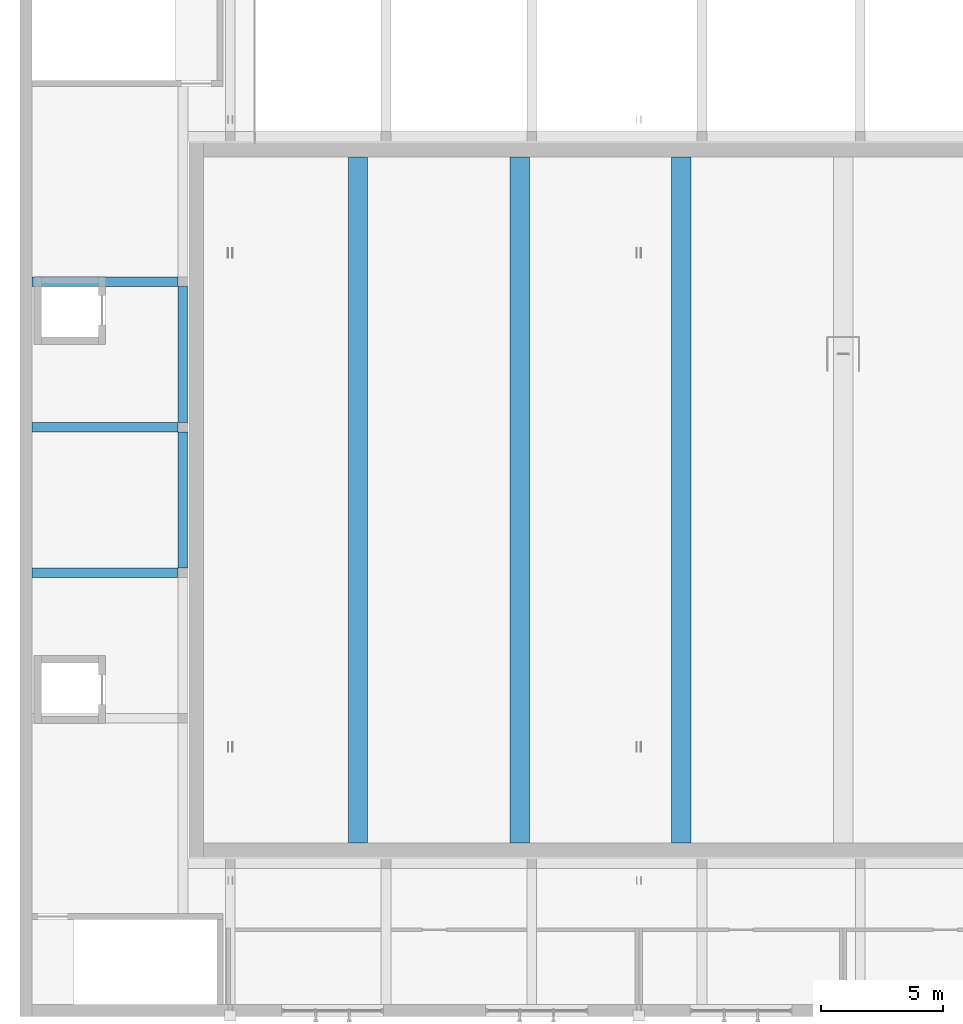
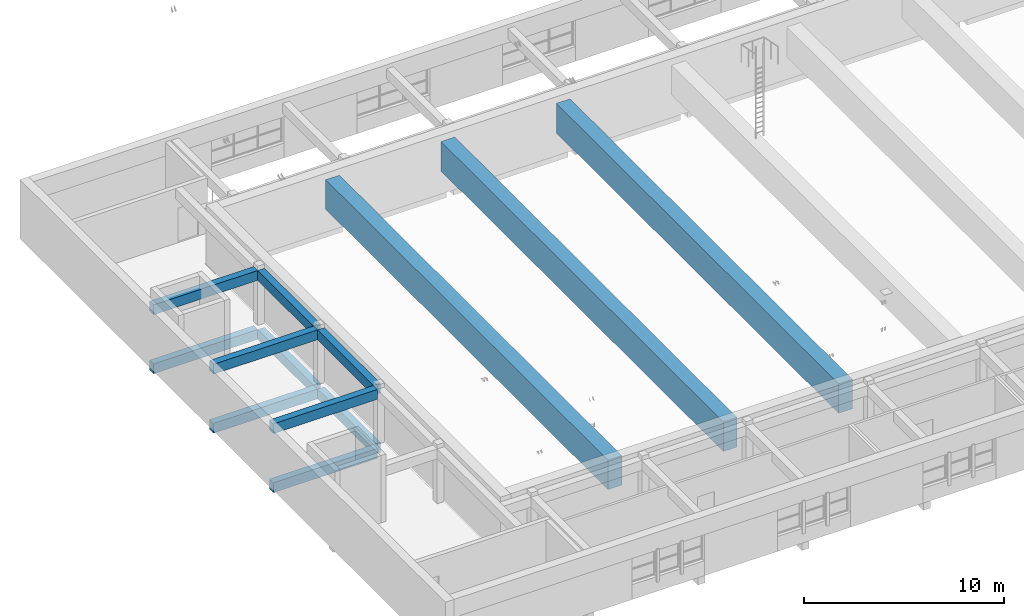
# One storey, part 4 of 28: 13 beams.
"""IFC4 building model written with IfcOpenShell, lengths in metres."""

from ifc_helpers import new_model, si_unit, direction, frame, origin, origin_2d, place, context, subcontext, project, spatial, rectangle, extrude, material, material_profile, profile_set, type_object, element, save


model = new_model("IFC4")

# Units and contexts
model_context = context("Model", 3, precision=1e-05, world=origin(), true_north=direction((0.0, 1.0)))
body_context = subcontext(model_context, "Body", "Model", "MODEL_VIEW")
ifc_project = project(units=[si_unit("LENGTHUNIT", "METRE"), si_unit("AREAUNIT", "SQUARE_METRE"), si_unit("VOLUMEUNIT", "CUBIC_METRE"), si_unit("PLANEANGLEUNIT", "RADIAN"), si_unit("MASSUNIT", "GRAM", prefix="KILO")], contexts=[model_context])

# Site, building, storey
site_placement = place(None, origin())
site = spatial("IfcSite", under=ifc_project, at=site_placement, CompositionType="ELEMENT")
building_placement = place(site_placement, origin())
building = spatial("IfcBuilding", under=site, at=building_placement, Name="Ljudholm Concert House", CompositionType="ELEMENT")
storey_placement = place(building_placement, frame((0.0, 0.0, 19.199951171875)))
storey = spatial("IfcBuildingStorey", under=building, at=storey_placement, Name="L04", CompositionType="ELEMENT", Elevation=19.199951171875)

# Beams
ifc_material_1 = material(Name="Concrete 6,500 psi", Category="concrete")
ifc_material_profile_1 = material_profile(ifc_material_1, rectangle(XDim=0.39990234375, YDim=0.60009765625, at=origin_2d()), Name="RC BEAM 400x600")
ifc_profile_set_1 = profile_set([ifc_material_profile_1], Name="Concrete 6,500 psi")
beam_type_1 = type_object("IfcBeamType", Name="RC BEAM 400x600", PredefinedType="BEAM", material=ifc_profile_set_1)
for number, where, z_axis, x_axis, name in (
    (1, (35.64990234375, 72.610107421875, -0.550048828125), (0.0, 1.0, 0.0), (-1.0, 0.0, 0.0), "Ring beam"),
    (2, (35.64990234375, 78.590087890625, -0.550048828125), (0.0, 1.0, 0.0), (-1.0, 0.0, 0.0), "Ring beam"),
):
    element("IfcBeam", number, at=place(storey_placement, frame(where, z_axis=z_axis, x_axis=x_axis)), inside=storey, type_object=beam_type_1, Name=name, PredefinedType="BEAM", context=body_context, shape_type="SweptSolid", body=[
        extrude(rectangle(XDim=0.39990234375, YDim=0.60009765625, at=origin_2d()), origin(), (0.0, 0.0, 1.0), 5.579833984375),
    ])
for number, where, z_axis, x_axis, name in (
    (3, (35.449951171875, 72.409912109375, -0.550048828125), (-1.0, 0.0, 0.0), (0.0, -1.0, 0.0), "Ring cross beam"),
    (4, (35.449951171875, 78.389892578125, -0.550048828125), (-1.0, 0.0, 0.0), (0.0, -1.0, 0.0), "Ring cross beam"),
    (5, (35.449951171875, 84.3701171875, -0.550048828125), (-1.0, 0.0, 0.0), (0.0, -1.0, 0.0), "Ring cross beam"),
):
    element("IfcBeam", number, at=place(storey_placement, frame(where, z_axis=z_axis, x_axis=x_axis)), inside=storey, type_object=beam_type_1, Name=name, PredefinedType="BEAM", context=body_context, shape_type="SweptSolid", body=[
        extrude(rectangle(XDim=0.39990234375, YDim=0.60009765625, at=origin_2d()), origin(), (0.0, 0.0, 1.0), 6.0),
    ])
for number, where, z_axis, x_axis, name in (
    (6, (35.64990234375, 72.610107421875, 3.050048828125), (0.0, 1.0, 0.0), (-1.0, 0.0, 0.0), "Ring beam"),
    (7, (35.64990234375, 78.590087890625, 3.050048828125), (0.0, 1.0, 0.0), (-1.0, 0.0, 0.0), "Ring beam"),
):
    element("IfcBeam", number, at=place(storey_placement, frame(where, z_axis=z_axis, x_axis=x_axis)), inside=storey, type_object=beam_type_1, Name=name, PredefinedType="BEAM", context=body_context, shape_type="SweptSolid", body=[
        extrude(rectangle(XDim=0.39990234375, YDim=0.60009765625, at=origin_2d()), origin(), (0.0, 0.0, 1.0), 5.579833984375),
    ])
for number, where, z_axis, x_axis, name in (
    (8, (35.449951171875, 72.409912109375, 3.050048828125), (-1.0, 0.0, 0.0), (0.0, -1.0, 0.0), "Ring cross beam"),
    (9, (35.449951171875, 78.389892578125, 3.050048828125), (-1.0, 0.0, 0.0), (0.0, -1.0, 0.0), "Ring cross beam"),
    (10, (35.449951171875, 84.3701171875, 3.050048828125), (-1.0, 0.0, 0.0), (0.0, -1.0, 0.0), "Ring cross beam"),
):
    element("IfcBeam", number, at=place(storey_placement, frame(where, z_axis=z_axis, x_axis=x_axis)), inside=storey, type_object=beam_type_1, Name=name, PredefinedType="BEAM", context=body_context, shape_type="SweptSolid", body=[
        extrude(rectangle(XDim=0.39990234375, YDim=0.60009765625, at=origin_2d()), origin(), (0.0, 0.0, 1.0), 6.0),
    ])
ifc_material_2 = material(Name="Concrete 6,500 psi", Category="concrete")
ifc_material_profile_2 = material_profile(ifc_material_2, rectangle(XDim=0.800048828125, YDim=1.800048828125, at=origin_2d()), Name="RC BEAM 800x1800 BEAM")
ifc_profile_set_2 = profile_set([ifc_material_profile_2], Name="Concrete 6,500 psi")
beam_type_2 = type_object("IfcBeamType", Name="RC BEAM 800x1800 BEAM", PredefinedType="BEAM", material=ifc_profile_set_2)
for number, where, z_axis, x_axis, name in (
    (11, (42.85009765625, 61.300048828125, 2.300048828125), (0.0, 1.0, 0.0), (-1.0, 0.0, 0.0), "Post-tensioned roof girder"),
    (12, (49.5, 61.300048828125, 2.300048828125), (0.0, 1.0, 0.0), (-1.0, 0.0, 0.0), "Post-tensioned roof girder"),
    (13, (56.14990234375, 61.300048828125, 2.300048828125), (0.0, 1.0, 0.0), (-1.0, 0.0, 0.0), "Post-tensioned roof girder"),
):
    element("IfcBeam", number, at=place(storey_placement, frame(where, z_axis=z_axis, x_axis=x_axis)), inside=storey, type_object=beam_type_2, Name=name, PredefinedType="BEAM", context=body_context, shape_type="SweptSolid", body=[
        extrude(rectangle(XDim=0.800048828125, YDim=1.800048828125, at=origin_2d()), origin(), (0.0, 0.0, 1.0), 28.199951171875),
    ])

save(model, "model.ifc")
